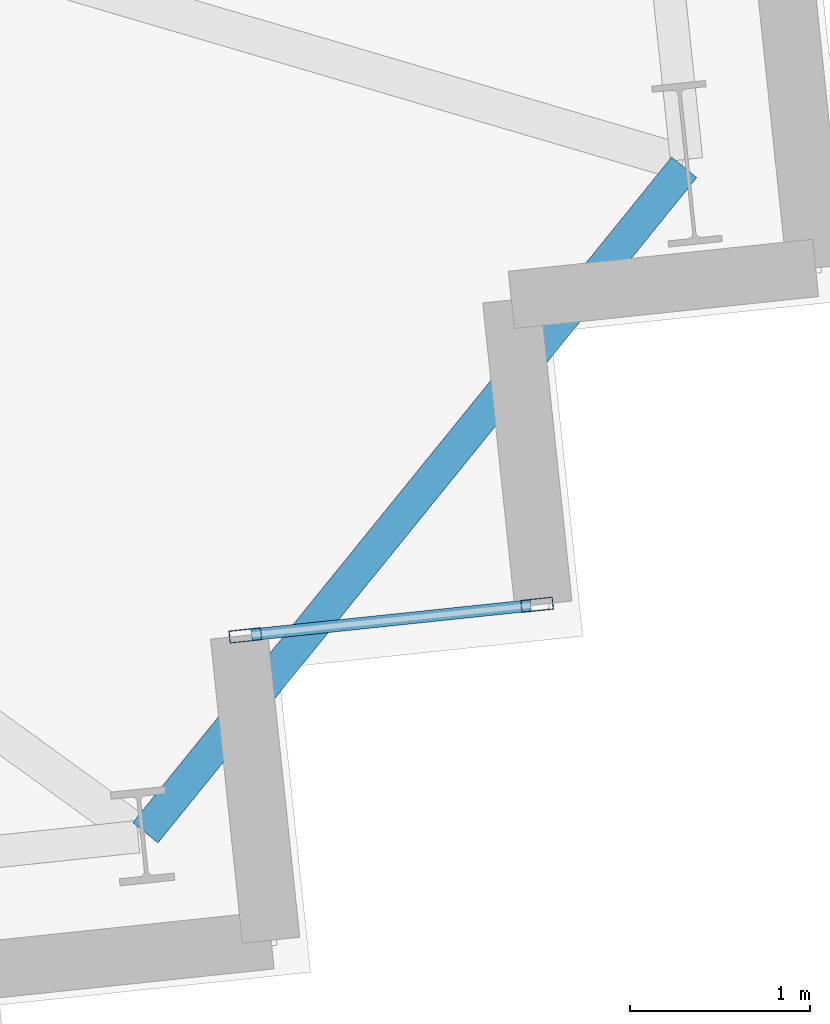
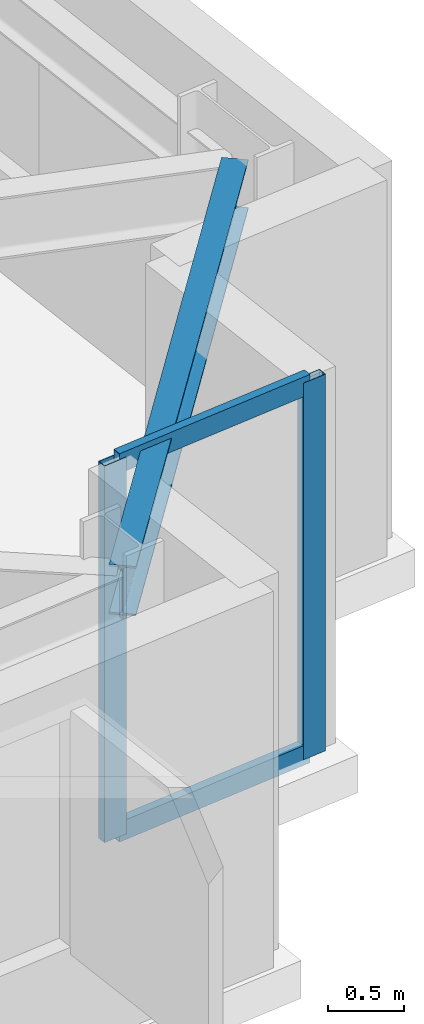
# One storey, part 10 of 23: 4 members, 1 beam, 1 element without a shape of its own.
"""IFC4 building model written with IfcOpenShell, lengths in metres."""

from ifc_helpers import new_model, si_unit, direction, frame, origin, origin_2d, place, context, subcontext, project, spatial, hollow_rectangle, i_section, extrude, material, layer, layer_set, material_profile, profile_set, type_object, element, aggregate, save


model = new_model("IFC4")

# Units and contexts
model_context = context("Model", 3, precision=1e-05, world=origin(), true_north=direction((0.0, 1.0)))
body_context = subcontext(model_context, "Body", "Model", "MODEL_VIEW")
ifc_project = project(units=[si_unit("LENGTHUNIT", "METRE"), si_unit("AREAUNIT", "SQUARE_METRE"), si_unit("VOLUMEUNIT", "CUBIC_METRE"), si_unit("PLANEANGLEUNIT", "RADIAN"), si_unit("MASSUNIT", "GRAM", prefix="KILO")], contexts=[model_context])

# Site, building, storey
site_placement = place(None, origin())
site = spatial("IfcSite", under=ifc_project, at=site_placement, CompositionType="ELEMENT")
building_placement = place(site_placement, origin())
building = spatial("IfcBuilding", under=site, at=building_placement, Name="Qobustan Lattice House", CompositionType="ELEMENT")
storey_placement = place(building_placement, frame((0.0, 0.0, 102.449951171875)))
storey = spatial("IfcBuildingStorey", under=building, at=storey_placement, Name="L28", CompositionType="ELEMENT", Elevation=102.449951171875)

# Beam
ifc_material_1 = material(Name="Steel S355", Category="steel")
ifc_material_profile_1 = material_profile(ifc_material_1, i_section(OverallWidth=0.179931640625, OverallDepth=0.39990234375, WebThickness=0.008544921875, FlangeThickness=0.013427734375, FilletRadius=0.02099609375, at=origin_2d()), Name="IPE400")
ifc_profile_set_1 = profile_set([ifc_material_profile_1], Name="Steel S355")
beam_type = type_object("IfcBeamType", Name="BM-SPD-IPE400", PredefinedType="SPANDREL", material=ifc_profile_set_1)
beam_placement = place(storey_placement, frame((29.608642578125, -13.3876953125, 2.844970703125), z_axis=(0.629351720588, 0.777120590252, 0.0), x_axis=(-0.777120590252, 0.629351720588, 0.0)))
element("IfcBeam", 1, at=beam_placement, inside=storey, type_object=beam_type, Name="L28 perimeter spandrel S7-E1", PredefinedType="SPANDREL", context=body_context, shape_type="SweptSolid", body=[
    extrude(i_section(OverallWidth=0.179931640625, OverallDepth=0.39990234375, WebThickness=0.008544921875, FlangeThickness=0.013427734375, FilletRadius=0.02099609375, at=origin_2d()), origin(), (0.0, 0.0, 1.0), 4.75830078125),
])

# Curtain wall, members
ifc_material_2 = material(Name="Anodised aluminium and low-E glazing", Category="aluminium")
ifc_layer = layer(ifc_material_2, 0.219970703125)
ifc_layer_set = layer_set([ifc_layer], Name="Anodised aluminium and low-E glazing")
curtain_wall_type = type_object("IfcCurtainWallType", Name="CW-FAC-01", PredefinedType="USERDEFINED", material=ifc_layer_set)
curtain_wall_placement = place(storey_placement, origin())
curtain_wall = element("IfcCurtainWall", 2, at=curtain_wall_placement, inside=storey, type_object=curtain_wall_type, Name="L28 serrated corner faceted glazing 18", ObjectType="CURTAIN WALL", PredefinedType="USERDEFINED")
ifc_material_3 = material(Name="Anodised aluminium EN AW-6063 T6", Category="aluminium")
ifc_material_profile_2 = material_profile(ifc_material_3, hollow_rectangle(XDim=0.070068359375, YDim=0.179931640625, WallThickness=0.00439453125, at=origin_2d()), Name="CWM-180x70")
ifc_profile_set_2 = profile_set([ifc_material_profile_2], Name="Anodised aluminium EN AW-6063 T6")
member_type_1 = type_object("IfcMemberType", Name="CWM-STD-180", PredefinedType="MULLION", material=ifc_profile_set_2)
member_1_placement = place(storey_placement, frame((31.785400390625, -12.12109375, 0.0), z_axis=(0.0, 0.0, 1.0), x_axis=(0.104528620025, -0.994521878892, 0.0)))
member_1 = element("IfcMember", 3, at=member_1_placement, type_object=member_type_1, Name="CW-F1 mullion 1", PredefinedType="MULLION", context=body_context, shape_type="SweptSolid", body=[
    extrude(hollow_rectangle(XDim=0.070068359375, YDim=0.179931640625, WallThickness=0.00439453125, at=origin_2d()), origin(), (0.0, 0.0, 1.0), 3.045166015625),
])
member_2_placement = place(storey_placement, frame((30.164306640625, -12.29150390625, 0.0), z_axis=(0.0, 0.0, 1.0), x_axis=(0.104528620025, -0.994521878892, 0.0)))
member_2 = element("IfcMember", 4, at=member_2_placement, type_object=member_type_1, Name="CW-F1 mullion 2", PredefinedType="MULLION", context=body_context, shape_type="SweptSolid", body=[
    extrude(hollow_rectangle(XDim=0.070068359375, YDim=0.179931640625, WallThickness=0.00439453125, at=origin_2d()), origin(), (0.0, 0.0, 1.0), 3.045166015625),
])
ifc_material_4 = material(Name="Anodised aluminium EN AW-6063 T6", Category="aluminium")
ifc_material_profile_3 = material_profile(ifc_material_4, hollow_rectangle(XDim=0.06494140625, YDim=0.159912109375, WallThickness=0.00390625, at=origin_2d()), Name="CWT-160x65")
ifc_profile_set_3 = profile_set([ifc_material_profile_3], Name="Anodised aluminium EN AW-6063 T6")
member_type_2 = type_object("IfcMemberType", Name="CWT-HOR-160", PredefinedType="USERDEFINED", material=ifc_profile_set_3)
member_3_placement = place(storey_placement, frame((31.750732421875, -12.124755859375, 0.032470703125), z_axis=(-0.994520877159, -0.104538150424, 0.0), x_axis=(0.104538150424, -0.994520877159, 0.0)))
member_3 = element("IfcMember", 5, at=member_3_placement, type_object=member_type_2, Name="CW-F1 transom 1.1", ObjectType="TRANSOM", PredefinedType="USERDEFINED", context=body_context, shape_type="SweptSolid", body=[
    extrude(hollow_rectangle(XDim=0.06494140625, YDim=0.159912109375, WallThickness=0.00390625, at=origin_2d()), origin(), (0.0, 0.0, 1.0), 1.56005859375),
])
member_4_placement = place(storey_placement, frame((31.750732421875, -12.124755859375, 3.012451171875), z_axis=(-0.994520877159, -0.104538150424, 0.0), x_axis=(0.104538150424, -0.994520877159, 0.0)))
member_4 = element("IfcMember", 6, at=member_4_placement, type_object=member_type_2, Name="CW-F1 transom 1.2", ObjectType="TRANSOM", PredefinedType="USERDEFINED", context=body_context, shape_type="SweptSolid", body=[
    extrude(hollow_rectangle(XDim=0.06494140625, YDim=0.159912109375, WallThickness=0.00390625, at=origin_2d()), origin(), (0.0, 0.0, 1.0), 1.56005859375),
])
aggregate(curtain_wall, [member_1, member_2, member_3, member_4])

save(model, "model.ifc")
